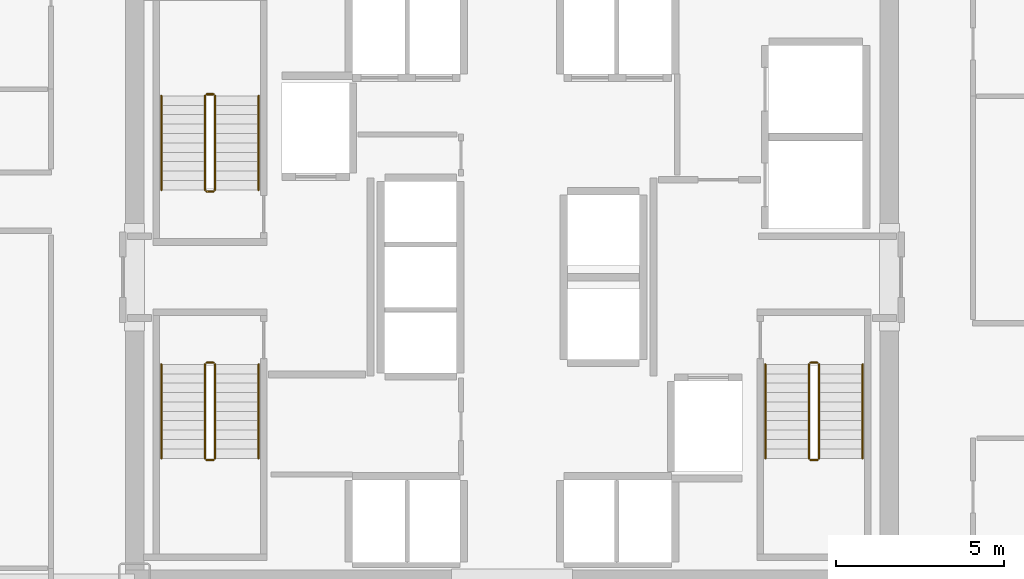
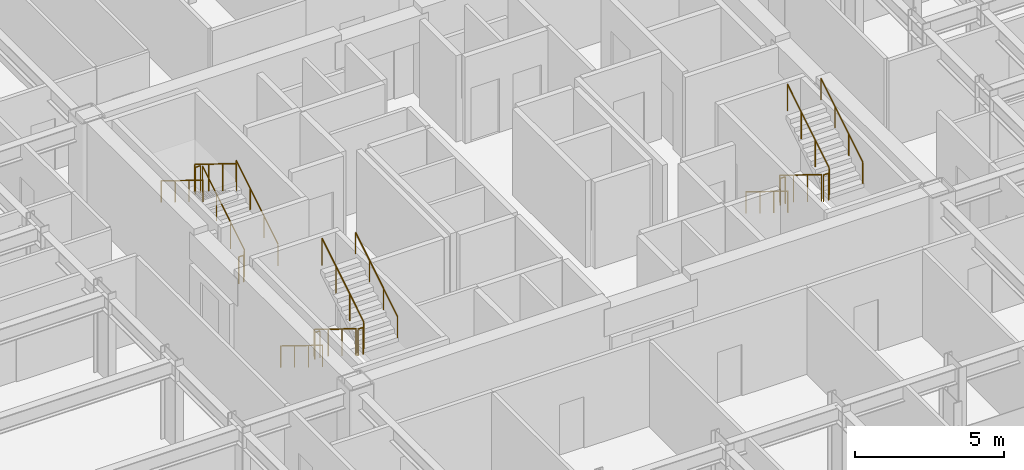
# One storey, part 26 of 26: 18 railings.
"""IFC4 building model written with IfcOpenShell, lengths in metres."""

import ifcopenshell
import ifcopenshell.guid

model = None  # the IFC model being written
_history = None  # IfcOwnerHistory: only IFC2X3 demands one
_inside = {}  # id of a spatial element -> (the spatial element, [elements in it])
_under = {}  # id of a project, library or spatial element -> (it, [spatial elements below it])
_declared = {}  # id of a project -> (the project, [libraries it declares])
_typed = {}  # id of a type object -> (the type object, [elements of that type])
_made_of = {}  # id of a material, layer set ... -> (it, [elements and type objects made of it])


def new_model(schema):
    """Start an empty IFC model of exactly this schema.

    Asked for "IFC4X3", IfcOpenShell would pick the latest addendum, in which some entities
    have other attributes; the version numbers below select the first issue.
    IFC2X3 requires an IfcOwnerHistory on every rooted entity: one is made here for all.
    """
    global model, _history
    if schema == "IFC4X3":
        model = ifcopenshell.file(schema_version=(4, 3, 0, 0))
    else:
        model = ifcopenshell.file(schema=schema)
    _inside.clear()
    _under.clear()
    _declared.clear()
    _typed.clear()
    _made_of.clear()
    _history = None
    if model.schema == "IFC2X3":
        org = make("IfcOrganization", Name="unknown")
        user = make(
            "IfcPersonAndOrganization",
            ThePerson=make("IfcPerson", FamilyName="unknown"),
            TheOrganization=org,
        )
        app = make(
            "IfcApplication",
            ApplicationDeveloper=org,
            Version="unknown",
            ApplicationFullName="unknown",
            ApplicationIdentifier="unknown",
        )
        _history = make(
            "IfcOwnerHistory",
            OwningUser=user,
            OwningApplication=app,
            ChangeAction="ADDED",
            CreationDate=0,
        )
    return model


def make(cls, **values):
    """One entity of the class cls with the attributes given. An attribute that is None is left unset."""
    return model.create_entity(
        cls, **{name: value for name, value in values.items() if value is not None}
    )


def rooted(cls, **values):
    """An entity with a GlobalId (a new one), such as an element, a storey or a relation."""
    return make(cls, GlobalId=ifcopenshell.guid.new(), OwnerHistory=_history, **values)


def si_unit(unit_type, name, prefix=None):
    """IfcSIUnit, for example si_unit("LENGTHUNIT", "METRE", prefix="MILLI")."""
    return make("IfcSIUnit", UnitType=unit_type, Prefix=prefix, Name=name)


def assignment(units):
    """IfcUnitAssignment: the units of a project."""
    return None if units is None else make("IfcUnitAssignment", Units=units)


def point(xyz):
    """IfcCartesianPoint."""
    return None if xyz is None else make("IfcCartesianPoint", Coordinates=xyz)


def direction(xyz):
    """IfcDirection."""
    return None if xyz is None else make("IfcDirection", DirectionRatios=xyz)


def frame(location, z_axis=None, x_axis=None):
    """IfcAxis2Placement3D, a coordinate frame: its origin and axes. An axis left out is left unset."""
    return make(
        "IfcAxis2Placement3D",
        Location=point(location),
        Axis=direction(z_axis),
        RefDirection=direction(x_axis),
    )


def frame_2d(location, x_axis=None):
    """IfcAxis2Placement2D, a coordinate frame in the plane: its origin and x axis."""
    return make(
        "IfcAxis2Placement2D", Location=point(location), RefDirection=direction(x_axis)
    )


def origin():
    """The frame at (0, 0, 0) with its axes left unset."""
    return frame((0.0, 0.0, 0.0))


def origin_2d():
    """The frame at (0, 0) in the plane with its x axis left unset."""
    return frame_2d((0.0, 0.0))


def place(relative_to, where):
    """IfcLocalPlacement: puts the frame where relative to a parent placement (None: the world)."""
    return make(
        "IfcLocalPlacement", PlacementRelTo=relative_to, RelativePlacement=where
    )


def context(
    kind, dimensions, precision=None, world=None, true_north=None, identifier=None
):
    """IfcGeometricRepresentationContext, for example the 3D "Model" context."""
    return make(
        "IfcGeometricRepresentationContext",
        ContextIdentifier=identifier,
        ContextType=kind,
        CoordinateSpaceDimension=dimensions,
        Precision=precision,
        WorldCoordinateSystem=world,
        TrueNorth=true_north,
    )


def subcontext(parent, identifier, kind, view, scale=None):
    """IfcGeometricRepresentationSubContext, for example "Body" below "Model"."""
    return make(
        "IfcGeometricRepresentationSubContext",
        ContextIdentifier=identifier,
        ContextType=kind,
        ParentContext=parent,
        TargetScale=scale,
        TargetView=view,
    )


def project(units=None, contexts=None):
    """IfcProject with its units and contexts."""
    return rooted(
        "IfcProject",
        Name="project",
        RepresentationContexts=contexts,
        UnitsInContext=assignment(units),
    )


def spatial(cls, under=None, at=None, **own):
    """A site, building, storey or space (cls), placed at a placement, below another one or the project."""
    s = rooted(cls, ObjectPlacement=at, **own)
    if under is not None:
        _under.setdefault(under.id(), (under, []))[1].append(s)
    return s


def profile(cls, at=None, kind="AREA", **sizes):
    """A parametric profile (cls). Its sizes go by their IFC names, for example OverallWidth=200.0."""
    return make(cls, ProfileType=kind, Position=at, **sizes)


def circle(**sizes):
    """IfcCircleProfileDef."""
    return profile("IfcCircleProfileDef", **sizes)


def extrude(swept, where, along, depth):
    """IfcExtrudedAreaSolid: the profile swept, set in the frame where, extruded along a direction by depth."""
    return make(
        "IfcExtrudedAreaSolid",
        SweptArea=swept,
        Position=where,
        ExtrudedDirection=direction(along),
        Depth=depth,
    )


def shape(context_of_items, identifier, shape_type, items):
    """IfcShapeRepresentation: the items that make up one representation, for example the "Body"."""
    return make(
        "IfcShapeRepresentation",
        ContextOfItems=context_of_items,
        RepresentationIdentifier=identifier,
        RepresentationType=shape_type,
        Items=items,
    )


def material(Name=None, Category=None):
    """IfcMaterial."""
    return make("IfcMaterial", Name=Name, Category=Category)


def made_of(thing, what):
    """Note that an element or type object is made of a material, layer set ...; save() writes the relation."""
    if what is not None:
        _made_of.setdefault(what.id(), (what, []))[1].append(thing)
    return thing


def type_object(cls, material=None, **own):
    """A type object (cls), such as IfcWallType, which elements share."""
    return made_of(rooted(cls, **own), material)


def element(
    cls,
    number,
    at=None,
    inside=None,
    cuts=None,
    type_object=None,
    material=None,
    context=None,
    identifier="Body",
    shape_type=None,
    held_by="IfcProductDefinitionShape",
    body=None,
    shapes=None,
    **own,
):
    """One element of the class cls, such as IfcWall. Its Tag is "e" and its number.

    at: its placement. inside: the storey or other place that contains it. cuts: it is an
    opening in that element (IfcRelVoidsElement). A single representation is given by context,
    identifier, shape_type and body (its items); several are given by shapes. held_by: the class
    of the entity that holds the representations. save() writes the other relations.
    """
    e = rooted(cls, Tag="e%d" % number, ObjectPlacement=at, **own)
    if body is not None:
        shapes = [shape(context, identifier, shape_type, body)]
    if shapes is not None:
        e.Representation = make(held_by, Representations=shapes)
    if inside is not None:
        _inside.setdefault(inside.id(), (inside, []))[1].append(e)
    if cuts is not None:
        rooted(
            "IfcRelVoidsElement", RelatingBuildingElement=cuts, RelatedOpeningElement=e
        )
    if type_object is not None:
        _typed.setdefault(type_object.id(), (type_object, []))[1].append(e)
    return made_of(e, material)


def aggregate(whole, parts):
    """IfcRelAggregates: a whole, such as a stair, and the parts it consists of."""
    return rooted("IfcRelAggregates", RelatingObject=whole, RelatedObjects=parts)


def save(model, path):
    """Write the relations noted so far, then the file.

    IfcRelAggregates (storeys below a building ...), IfcRelContainedInSpatialStructure (elements
    in a storey), IfcRelDefinesByType, IfcRelAssociatesMaterial and IfcRelDeclares: one each for
    every whole, place, type object, material and project.
    """
    for whole, parts in _under.values():
        aggregate(whole, parts)
    for where, things in _inside.values():
        rooted(
            "IfcRelContainedInSpatialStructure",
            RelatedElements=things,
            RelatingStructure=where,
        )
    for kind, things in _typed.values():
        rooted("IfcRelDefinesByType", RelatedObjects=things, RelatingType=kind)
    for what, things in _made_of.values():
        rooted("IfcRelAssociatesMaterial", RelatedObjects=things, RelatingMaterial=what)
    for by, libraries in _declared.values():
        rooted("IfcRelDeclares", RelatingContext=by, RelatedDefinitions=libraries)
    model.write(path)


model = new_model("IFC4")

# Units and contexts
model_context = context("Model", 3, precision=1e-05, world=origin(), true_north=direction((0.0, 1.0)))
body_context = subcontext(model_context, "Body", "Model", "MODEL_VIEW")
ifc_project = project(units=[si_unit("LENGTHUNIT", "METRE"), si_unit("AREAUNIT", "SQUARE_METRE"), si_unit("VOLUMEUNIT", "CUBIC_METRE"), si_unit("PLANEANGLEUNIT", "RADIAN"), si_unit("MASSUNIT", "GRAM", prefix="KILO")], contexts=[model_context])

# Site, building, storey
site_placement = place(None, origin())
site = spatial("IfcSite", under=ifc_project, at=site_placement, CompositionType="ELEMENT")
building_placement = place(site_placement, origin())
building = spatial("IfcBuilding", under=site, at=building_placement, Name="Nefas-Gora Pilgrimage Tower", CompositionType="ELEMENT")
storey_placement = place(building_placement, frame((0.0, 0.0, 128.800048828125)))
storey = spatial("IfcBuildingStorey", under=building, at=storey_placement, Name="L31", CompositionType="ELEMENT", Elevation=128.800048828125)

# Railings
ifc_material_1 = material(Name="Painted galvanised steel", Category="steel")
railing_type_1 = type_object("IfcRailingType", Name="RLG-STR-GUARD-1100", PredefinedType="GUARDRAIL", material=ifc_material_1)
railing_1_placement = place(storey_placement, frame((-8.85009765625, 2.60009765625, 0.172607421875)))
element("IfcRailing", 1, at=railing_1_placement, inside=storey, type_object=railing_type_1, Name="L31 ST-01 stair guard 1", PredefinedType="GUARDRAIL", context=body_context, shape_type="SweptSolid", body=[
    extrude(circle(Radius=0.02392578125, at=origin_2d()), frame((0.0, 0.0, 1.09619140625), z_axis=(0.0, 0.851069175582, 0.525053576669), x_axis=(-1.0, 0.0, 0.0)), (0.0, 0.0, 1.0), 3.289794921875),
    extrude(circle(Radius=0.02099609375, at=origin_2d()), origin(), (0.0, 0.0, 1.0), 1.072021484375),
    extrude(circle(Radius=0.02099609375, at=origin_2d()), frame((0.0, 0.933349609375, 0.57568359375)), (0.0, 0.0, 1.0), 1.072021484375),
    extrude(circle(Radius=0.02099609375, at=origin_2d()), frame((0.0, 1.866455078125, 1.151611328125)), (0.0, 0.0, 1.0), 1.072021484375),
    extrude(circle(Radius=0.02099609375, at=origin_2d()), frame((0.0, 2.7998046875, 1.727294921875)), (0.0, 0.0, 1.0), 1.072021484375),
])
railing_2_placement = place(storey_placement, frame((-8.89990234375, 5.449951171875, 1.89990234375)))
element("IfcRailing", 2, at=railing_2_placement, inside=storey, type_object=railing_type_1, Name="L31 ST-01 stair guard 2", PredefinedType="GUARDRAIL", context=body_context, shape_type="SweptSolid", body=[
    extrude(circle(Radius=0.02392578125, at=origin_2d()), frame((0.0, 0.0, 1.09619140625), z_axis=(-1.0, 0.0, 0.0), x_axis=(0.0, -1.0, 0.0)), (0.0, 0.0, 1.0), 0.2001953125),
    extrude(circle(Radius=0.02099609375, at=origin_2d()), origin(), (0.0, 0.0, 1.0), 1.072021484375),
    extrude(circle(Radius=0.02099609375, at=origin_2d()), frame((-0.2001953125, 0.0, 0.0)), (0.0, 0.0, 1.0), 1.072021484375),
])
railing_3_placement = place(storey_placement, frame((-9.14990234375, 5.39990234375, 2.07275390625)))
element("IfcRailing", 3, at=railing_3_placement, inside=storey, type_object=railing_type_1, Name="L31 ST-01 stair guard 3", PredefinedType="GUARDRAIL", context=body_context, shape_type="SweptSolid", body=[
    extrude(circle(Radius=0.02392578125, at=origin_2d()), frame((0.0, 0.0, 1.09619140625), z_axis=(0.0, -0.851069175582, 0.525053576669), x_axis=(1.0, 0.0, 0.0)), (0.0, 0.0, 1.0), 3.289794921875),
    extrude(circle(Radius=0.02099609375, at=origin_2d()), origin(), (0.0, 0.0, 1.0), 1.072021484375),
    extrude(circle(Radius=0.02099609375, at=origin_2d()), frame((0.0, -0.933349609375, 0.57568359375)), (0.0, 0.0, 1.0), 1.072021484375),
    extrude(circle(Radius=0.02099609375, at=origin_2d()), frame((0.0, -1.866455078125, 1.151611328125)), (0.0, 0.0, 1.0), 1.072021484375),
    extrude(circle(Radius=0.02099609375, at=origin_2d()), frame((0.0, -2.7998046875, 1.727294921875)), (0.0, 0.0, 1.0), 1.072021484375),
])
railing_4_placement = place(storey_placement, frame((-8.89990234375, 2.550048828125, 0.0)))
element("IfcRailing", 4, at=railing_4_placement, inside=storey, type_object=railing_type_1, Name="L31 ST-01 stair guard 4", PredefinedType="GUARDRAIL", context=body_context, shape_type="SweptSolid", body=[
    extrude(circle(Radius=0.02392578125, at=origin_2d()), frame((0.0, 0.0, 1.09619140625), z_axis=(-1.0, 0.0, 0.0), x_axis=(0.0, -1.0, 0.0)), (0.0, 0.0, 1.0), 0.2001953125),
    extrude(circle(Radius=0.02099609375, at=origin_2d()), origin(), (0.0, 0.0, 1.0), 1.072021484375),
    extrude(circle(Radius=0.02099609375, at=origin_2d()), frame((-0.2001953125, 0.0, 0.0)), (0.0, 0.0, 1.0), 1.072021484375),
])
railing_5_placement = place(storey_placement, frame((8.85009765625, -2.60009765625, 0.172607421875)))
element("IfcRailing", 5, at=railing_5_placement, inside=storey, type_object=railing_type_1, Name="L31 ST-02 stair guard 1", PredefinedType="GUARDRAIL", context=body_context, shape_type="SweptSolid", body=[
    extrude(circle(Radius=0.02392578125, at=origin_2d()), frame((0.0, 0.0, 1.09619140625), z_axis=(0.0, -0.851069175582, 0.525053576669), x_axis=(1.0, 0.0, 0.0)), (0.0, 0.0, 1.0), 3.289794921875),
    extrude(circle(Radius=0.02099609375, at=origin_2d()), origin(), (0.0, 0.0, 1.0), 1.072021484375),
    extrude(circle(Radius=0.02099609375, at=origin_2d()), frame((0.0, -0.933349609375, 0.57568359375)), (0.0, 0.0, 1.0), 1.072021484375),
    extrude(circle(Radius=0.02099609375, at=origin_2d()), frame((0.0, -1.866455078125, 1.151611328125)), (0.0, 0.0, 1.0), 1.072021484375),
    extrude(circle(Radius=0.02099609375, at=origin_2d()), frame((0.0, -2.7998046875, 1.727294921875)), (0.0, 0.0, 1.0), 1.072021484375),
])
railing_6_placement = place(storey_placement, frame((8.89990234375, -5.449951171875, 1.89990234375)))
element("IfcRailing", 6, at=railing_6_placement, inside=storey, type_object=railing_type_1, Name="L31 ST-02 stair guard 2", PredefinedType="GUARDRAIL", context=body_context, shape_type="SweptSolid", body=[
    extrude(circle(Radius=0.02392578125, at=origin_2d()), frame((0.0, 0.0, 1.09619140625), z_axis=(1.0, 0.0, 0.0), x_axis=(0.0, 1.0, 0.0)), (0.0, 0.0, 1.0), 0.2001953125),
    extrude(circle(Radius=0.02099609375, at=origin_2d()), origin(), (0.0, 0.0, 1.0), 1.072021484375),
    extrude(circle(Radius=0.02099609375, at=origin_2d()), frame((0.2001953125, 0.0, 0.0)), (0.0, 0.0, 1.0), 1.072021484375),
])
railing_7_placement = place(storey_placement, frame((9.14990234375, -5.39990234375, 2.07275390625)))
element("IfcRailing", 7, at=railing_7_placement, inside=storey, type_object=railing_type_1, Name="L31 ST-02 stair guard 3", PredefinedType="GUARDRAIL", context=body_context, shape_type="SweptSolid", body=[
    extrude(circle(Radius=0.02392578125, at=origin_2d()), frame((0.0, 0.0, 1.09619140625), z_axis=(0.0, 0.851069175582, 0.525053576669), x_axis=(-1.0, 0.0, 0.0)), (0.0, 0.0, 1.0), 3.289794921875),
    extrude(circle(Radius=0.02099609375, at=origin_2d()), origin(), (0.0, 0.0, 1.0), 1.072021484375),
    extrude(circle(Radius=0.02099609375, at=origin_2d()), frame((0.0, 0.933349609375, 0.57568359375)), (0.0, 0.0, 1.0), 1.072021484375),
    extrude(circle(Radius=0.02099609375, at=origin_2d()), frame((0.0, 1.866455078125, 1.151611328125)), (0.0, 0.0, 1.0), 1.072021484375),
    extrude(circle(Radius=0.02099609375, at=origin_2d()), frame((0.0, 2.7998046875, 1.727294921875)), (0.0, 0.0, 1.0), 1.072021484375),
])
railing_8_placement = place(storey_placement, frame((8.89990234375, -2.550048828125, 0.0)))
element("IfcRailing", 8, at=railing_8_placement, inside=storey, type_object=railing_type_1, Name="L31 ST-02 stair guard 4", PredefinedType="GUARDRAIL", context=body_context, shape_type="SweptSolid", body=[
    extrude(circle(Radius=0.02392578125, at=origin_2d()), frame((0.0, 0.0, 1.09619140625), z_axis=(1.0, 0.0, 0.0), x_axis=(0.0, 1.0, 0.0)), (0.0, 0.0, 1.0), 0.2001953125),
    extrude(circle(Radius=0.02099609375, at=origin_2d()), origin(), (0.0, 0.0, 1.0), 1.072021484375),
    extrude(circle(Radius=0.02099609375, at=origin_2d()), frame((0.2001953125, 0.0, 0.0)), (0.0, 0.0, 1.0), 1.072021484375),
])
railing_9_placement = place(storey_placement, frame((-9.14990234375, -2.60009765625, 0.172607421875)))
element("IfcRailing", 9, at=railing_9_placement, inside=storey, type_object=railing_type_1, Name="L31 ST-03 stair guard 1", PredefinedType="GUARDRAIL", context=body_context, shape_type="SweptSolid", body=[
    extrude(circle(Radius=0.02392578125, at=origin_2d()), frame((0.0, 0.0, 1.09619140625), z_axis=(0.0, -0.851069175582, 0.525053576669), x_axis=(1.0, 0.0, 0.0)), (0.0, 0.0, 1.0), 3.289794921875),
    extrude(circle(Radius=0.02099609375, at=origin_2d()), origin(), (0.0, 0.0, 1.0), 1.072021484375),
    extrude(circle(Radius=0.02099609375, at=origin_2d()), frame((0.0, -0.933349609375, 0.57568359375)), (0.0, 0.0, 1.0), 1.072021484375),
    extrude(circle(Radius=0.02099609375, at=origin_2d()), frame((0.0, -1.866455078125, 1.151611328125)), (0.0, 0.0, 1.0), 1.072021484375),
    extrude(circle(Radius=0.02099609375, at=origin_2d()), frame((0.0, -2.7998046875, 1.727294921875)), (0.0, 0.0, 1.0), 1.072021484375),
])
railing_10_placement = place(storey_placement, frame((-9.10009765625, -5.449951171875, 1.89990234375)))
element("IfcRailing", 10, at=railing_10_placement, inside=storey, type_object=railing_type_1, Name="L31 ST-03 stair guard 2", PredefinedType="GUARDRAIL", context=body_context, shape_type="SweptSolid", body=[
    extrude(circle(Radius=0.02392578125, at=origin_2d()), frame((0.0, 0.0, 1.09619140625), z_axis=(1.0, 0.0, 0.0), x_axis=(0.0, 1.0, 0.0)), (0.0, 0.0, 1.0), 0.2001953125),
    extrude(circle(Radius=0.02099609375, at=origin_2d()), origin(), (0.0, 0.0, 1.0), 1.072021484375),
    extrude(circle(Radius=0.02099609375, at=origin_2d()), frame((0.2001953125, 0.0, 0.0)), (0.0, 0.0, 1.0), 1.072021484375),
])
railing_11_placement = place(storey_placement, frame((-8.85009765625, -5.39990234375, 2.07275390625)))
element("IfcRailing", 11, at=railing_11_placement, inside=storey, type_object=railing_type_1, Name="L31 ST-03 stair guard 3", PredefinedType="GUARDRAIL", context=body_context, shape_type="SweptSolid", body=[
    extrude(circle(Radius=0.02392578125, at=origin_2d()), frame((0.0, 0.0, 1.09619140625), z_axis=(0.0, 0.851069175582, 0.525053576669), x_axis=(-1.0, 0.0, 0.0)), (0.0, 0.0, 1.0), 3.289794921875),
    extrude(circle(Radius=0.02099609375, at=origin_2d()), origin(), (0.0, 0.0, 1.0), 1.072021484375),
    extrude(circle(Radius=0.02099609375, at=origin_2d()), frame((0.0, 0.933349609375, 0.57568359375)), (0.0, 0.0, 1.0), 1.072021484375),
    extrude(circle(Radius=0.02099609375, at=origin_2d()), frame((0.0, 1.866455078125, 1.151611328125)), (0.0, 0.0, 1.0), 1.072021484375),
    extrude(circle(Radius=0.02099609375, at=origin_2d()), frame((0.0, 2.7998046875, 1.727294921875)), (0.0, 0.0, 1.0), 1.072021484375),
])
railing_12_placement = place(storey_placement, frame((-9.10009765625, -2.550048828125, 0.0)))
element("IfcRailing", 12, at=railing_12_placement, inside=storey, type_object=railing_type_1, Name="L31 ST-03 stair guard 4", PredefinedType="GUARDRAIL", context=body_context, shape_type="SweptSolid", body=[
    extrude(circle(Radius=0.02392578125, at=origin_2d()), frame((0.0, 0.0, 1.09619140625), z_axis=(1.0, 0.0, 0.0), x_axis=(0.0, 1.0, 0.0)), (0.0, 0.0, 1.0), 0.2001953125),
    extrude(circle(Radius=0.02099609375, at=origin_2d()), origin(), (0.0, 0.0, 1.0), 1.072021484375),
    extrude(circle(Radius=0.02099609375, at=origin_2d()), frame((0.2001953125, 0.0, 0.0)), (0.0, 0.0, 1.0), 1.072021484375),
])
ifc_material_2 = material(Name="Brushed stainless steel", Category="steel")
railing_type_2 = type_object("IfcRailingType", Name="RLG-STR-HAND-900", PredefinedType="HANDRAIL", material=ifc_material_2)
railing_13_placement = place(storey_placement, frame((-7.550048828125, 2.60009765625, 0.172607421875)))
element("IfcRailing", 13, at=railing_13_placement, inside=storey, type_object=railing_type_2, Name="L31 ST-01 stair handrail 1", PredefinedType="HANDRAIL", context=body_context, shape_type="SweptSolid", body=[
    extrude(circle(Radius=0.02392578125, at=origin_2d()), frame((0.0, 0.0, 0.8759765625), z_axis=(0.0, 0.851069175582, 0.525053576669), x_axis=(-1.0, 0.0, 0.0)), (0.0, 0.0, 1.0), 3.289794921875),
    extrude(circle(Radius=0.02099609375, at=origin_2d()), origin(), (0.0, 0.0, 1.0), 0.851806640625),
    extrude(circle(Radius=0.02099609375, at=origin_2d()), frame((0.0, 0.933349609375, 0.57568359375)), (0.0, 0.0, 1.0), 0.851806640625),
    extrude(circle(Radius=0.02099609375, at=origin_2d()), frame((0.0, 1.866455078125, 1.151611328125)), (0.0, 0.0, 1.0), 0.851806640625),
    extrude(circle(Radius=0.02099609375, at=origin_2d()), frame((0.0, 2.7998046875, 1.727294921875)), (0.0, 0.0, 1.0), 0.851806640625),
])
for number, where, name in (
    (14, (-10.449951171875, 5.39990234375, 2.07275390625), "L31 ST-01 stair handrail 2"),
    (15, (7.550048828125, -2.60009765625, 0.172607421875), "L31 ST-02 stair handrail 1"),
):
    element("IfcRailing", number, at=place(storey_placement, frame(where)), inside=storey, type_object=railing_type_2, Name=name, PredefinedType="HANDRAIL", context=body_context, shape_type="SweptSolid", body=[
        extrude(circle(Radius=0.02392578125, at=origin_2d()), frame((0.0, 0.0, 0.8759765625), z_axis=(0.0, -0.851069175582, 0.525053576669), x_axis=(1.0, 0.0, 0.0)), (0.0, 0.0, 1.0), 3.289794921875),
        extrude(circle(Radius=0.02099609375, at=origin_2d()), origin(), (0.0, 0.0, 1.0), 0.851806640625),
        extrude(circle(Radius=0.02099609375, at=origin_2d()), frame((0.0, -0.933349609375, 0.57568359375)), (0.0, 0.0, 1.0), 0.851806640625),
        extrude(circle(Radius=0.02099609375, at=origin_2d()), frame((0.0, -1.866455078125, 1.151611328125)), (0.0, 0.0, 1.0), 0.851806640625),
        extrude(circle(Radius=0.02099609375, at=origin_2d()), frame((0.0, -2.7998046875, 1.727294921875)), (0.0, 0.0, 1.0), 0.851806640625),
    ])
railing_14_placement = place(storey_placement, frame((10.449951171875, -5.39990234375, 2.07275390625)))
element("IfcRailing", 16, at=railing_14_placement, inside=storey, type_object=railing_type_2, Name="L31 ST-02 stair handrail 2", PredefinedType="HANDRAIL", context=body_context, shape_type="SweptSolid", body=[
    extrude(circle(Radius=0.02392578125, at=origin_2d()), frame((0.0, 0.0, 0.8759765625), z_axis=(0.0, 0.851069175582, 0.525053576669), x_axis=(-1.0, 0.0, 0.0)), (0.0, 0.0, 1.0), 3.289794921875),
    extrude(circle(Radius=0.02099609375, at=origin_2d()), origin(), (0.0, 0.0, 1.0), 0.851806640625),
    extrude(circle(Radius=0.02099609375, at=origin_2d()), frame((0.0, 0.933349609375, 0.57568359375)), (0.0, 0.0, 1.0), 0.851806640625),
    extrude(circle(Radius=0.02099609375, at=origin_2d()), frame((0.0, 1.866455078125, 1.151611328125)), (0.0, 0.0, 1.0), 0.851806640625),
    extrude(circle(Radius=0.02099609375, at=origin_2d()), frame((0.0, 2.7998046875, 1.727294921875)), (0.0, 0.0, 1.0), 0.851806640625),
])
railing_15_placement = place(storey_placement, frame((-10.449951171875, -2.60009765625, 0.172607421875)))
element("IfcRailing", 17, at=railing_15_placement, inside=storey, type_object=railing_type_2, Name="L31 ST-03 stair handrail 1", PredefinedType="HANDRAIL", context=body_context, shape_type="SweptSolid", body=[
    extrude(circle(Radius=0.02392578125, at=origin_2d()), frame((0.0, 0.0, 0.8759765625), z_axis=(0.0, -0.851069175582, 0.525053576669), x_axis=(1.0, 0.0, 0.0)), (0.0, 0.0, 1.0), 3.289794921875),
    extrude(circle(Radius=0.02099609375, at=origin_2d()), origin(), (0.0, 0.0, 1.0), 0.851806640625),
    extrude(circle(Radius=0.02099609375, at=origin_2d()), frame((0.0, -0.933349609375, 0.57568359375)), (0.0, 0.0, 1.0), 0.851806640625),
    extrude(circle(Radius=0.02099609375, at=origin_2d()), frame((0.0, -1.866455078125, 1.151611328125)), (0.0, 0.0, 1.0), 0.851806640625),
    extrude(circle(Radius=0.02099609375, at=origin_2d()), frame((0.0, -2.7998046875, 1.727294921875)), (0.0, 0.0, 1.0), 0.851806640625),
])
railing_16_placement = place(storey_placement, frame((-7.550048828125, -5.39990234375, 2.07275390625)))
element("IfcRailing", 18, at=railing_16_placement, inside=storey, type_object=railing_type_2, Name="L31 ST-03 stair handrail 2", PredefinedType="HANDRAIL", context=body_context, shape_type="SweptSolid", body=[
    extrude(circle(Radius=0.02392578125, at=origin_2d()), frame((0.0, 0.0, 0.8759765625), z_axis=(0.0, 0.851069175582, 0.525053576669), x_axis=(-1.0, 0.0, 0.0)), (0.0, 0.0, 1.0), 3.289794921875),
    extrude(circle(Radius=0.02099609375, at=origin_2d()), origin(), (0.0, 0.0, 1.0), 0.851806640625),
    extrude(circle(Radius=0.02099609375, at=origin_2d()), frame((0.0, 0.933349609375, 0.57568359375)), (0.0, 0.0, 1.0), 0.851806640625),
    extrude(circle(Radius=0.02099609375, at=origin_2d()), frame((0.0, 1.866455078125, 1.151611328125)), (0.0, 0.0, 1.0), 0.851806640625),
    extrude(circle(Radius=0.02099609375, at=origin_2d()), frame((0.0, 2.7998046875, 1.727294921875)), (0.0, 0.0, 1.0), 0.851806640625),
])

save(model, "model.ifc")
